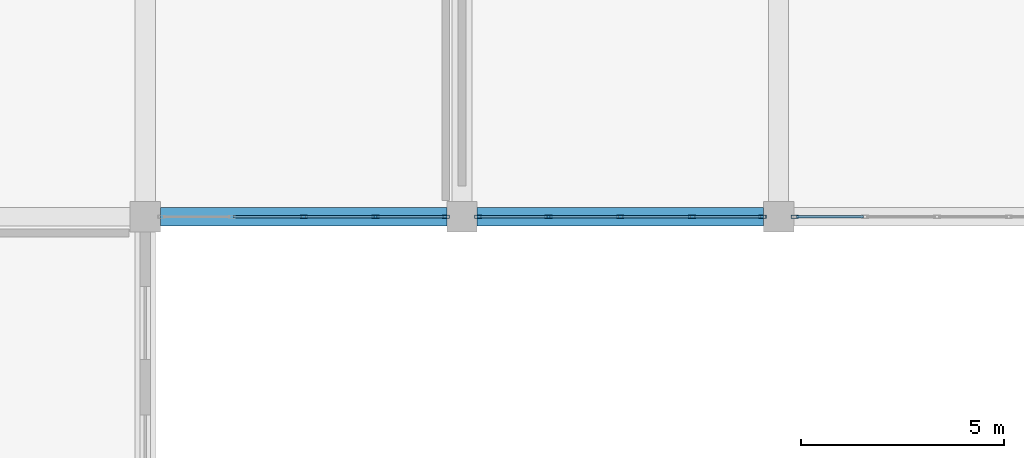
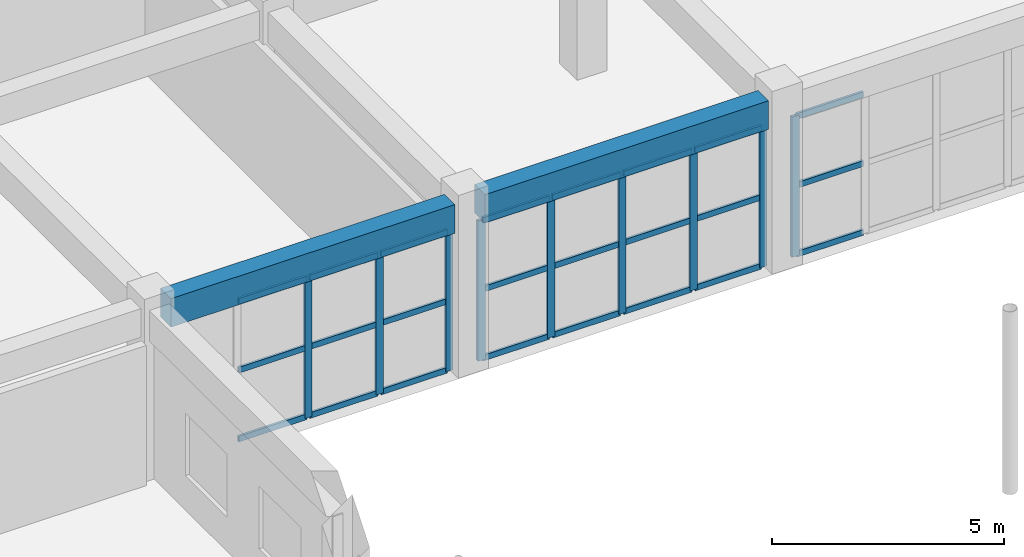
# One storey, part 77 of 175: 33 members, 2 beams, 3 elements without a shape of their own.
"""IFC4 building model written with IfcOpenShell, lengths in metres."""

from ifc_helpers import new_model, si_unit, direction, frame, origin, origin_2d, place, context, subcontext, project, spatial, rectangle, hollow_rectangle, extrude, material, layer, layer_set, material_profile, profile_set, type_object, element, aggregate, save


model = new_model("IFC4")

# Units and contexts
model_context = context("Model", 3, precision=1e-05, world=origin(), true_north=direction((0.0, 1.0)))
body_context = subcontext(model_context, "Body", "Model", "MODEL_VIEW")
ifc_project = project(units=[si_unit("LENGTHUNIT", "METRE"), si_unit("AREAUNIT", "SQUARE_METRE"), si_unit("VOLUMEUNIT", "CUBIC_METRE"), si_unit("PLANEANGLEUNIT", "RADIAN"), si_unit("MASSUNIT", "GRAM", prefix="KILO")], contexts=[model_context])

# Site, building, storey
site_placement = place(None, origin())
site = spatial("IfcSite", under=ifc_project, at=site_placement, CompositionType="ELEMENT")
building_placement = place(site_placement, origin())
building = spatial("IfcBuilding", under=site, at=building_placement, Name="Zizhar Promenade General Hospital", CompositionType="ELEMENT")
storey_placement = place(building_placement, frame((0.0, 0.0, 4.800048828125)))
storey = spatial("IfcBuildingStorey", under=building, at=storey_placement, Name="L01", CompositionType="ELEMENT", Elevation=4.800048828125)

# Beams
ifc_material_1 = material(Name="Concrete C35/45", Category="concrete")
ifc_material_profile_1 = material_profile(ifc_material_1, rectangle(XDim=0.449951171875, YDim=0.75, at=origin_2d()))
ifc_profile_set_1 = profile_set([ifc_material_profile_1], Name="Concrete C35/45")
beam_type = type_object("IfcBeamType", Name="BM-RC-450x750", PredefinedType="BEAM", material=ifc_profile_set_1)
for number, where, z_axis, x_axis, name in (
    (1, (70.574951171875, 92.39990234375, 4.094970703125), (1.0, 0.0, 0.0), (0.0, 1.0, 0.0), "Grid Beam X L01 (9-11)"),
    (2, (78.375, 92.39990234375, 4.094970703125), (1.0, 0.0, 0.0), (0.0, 1.0, 0.0), "Grid Beam X L01 (10-11)"),
):
    element("IfcBeam", number, at=place(storey_placement, frame(where, z_axis=z_axis, x_axis=x_axis)), inside=storey, type_object=beam_type, Name=name, PredefinedType="BEAM", context=body_context, shape_type="SweptSolid", body=[
        extrude(rectangle(XDim=0.449951171875, YDim=0.75, at=origin_2d()), origin(), (0.0, 0.0, 1.0), 7.050048828125),
    ])

# Curtain wall, members
ifc_material_2 = material(Name="Anodised aluminium 6063-T6 and low-E glass", Category="aluminium")
ifc_layer = layer(ifc_material_2, 0.159912109375)
ifc_layer_set = layer_set([ifc_layer], Name="Anodised aluminium 6063-T6 and low-E glass")
curtain_wall_type = type_object("IfcCurtainWallType", Name="CW-DT-MOD1", PredefinedType="NOTDEFINED", material=ifc_layer_set)
curtain_wall_1_placement = place(storey_placement, origin())
curtain_wall_1 = element("IfcCurtainWall", 3, at=curtain_wall_1_placement, inside=storey, type_object=curtain_wall_type, Name="Garden Court North Surgical Glazing L01-9", PredefinedType="NOTDEFINED")
ifc_material_3 = material(Name="Anodised aluminium 6063-T6", Category="aluminium")
ifc_material_profile_2 = material_profile(ifc_material_3, hollow_rectangle(XDim=0.080078125, YDim=0.179931640625, WallThickness=0.0048828125, at=origin_2d()))
ifc_profile_set_2 = profile_set([ifc_material_profile_2], Name="Anodised aluminium 6063-T6")
member_type_1 = type_object("IfcMemberType", Name="CWM-ALU-180x80", PredefinedType="MULLION", material=ifc_profile_set_2)
member_1_placement = place(storey_placement, frame((77.60009765625, 92.39990234375, 0.0), z_axis=(0.0, 0.0, 1.0), x_axis=(0.0, -1.0, 0.0)))
member_1 = element("IfcMember", 4, at=member_1_placement, type_object=member_type_1, Name="CW-07 mullion 1", PredefinedType="MULLION", context=body_context, shape_type="SweptSolid", body=[
    extrude(hollow_rectangle(XDim=0.080078125, YDim=0.179931640625, WallThickness=0.0048828125, at=origin_2d()), origin(), (0.0, 0.0, 1.0), 3.679931640625),
])
member_2_placement = place(storey_placement, frame((75.8701171875, 92.39990234375, 0.0), z_axis=(0.0, 0.0, 1.0), x_axis=(0.0, -1.0, 0.0)))
member_2 = element("IfcMember", 5, at=member_2_placement, type_object=member_type_1, Name="CW-07 mullion 2", PredefinedType="MULLION", context=body_context, shape_type="SweptSolid", body=[
    extrude(hollow_rectangle(XDim=0.080078125, YDim=0.179931640625, WallThickness=0.0048828125, at=origin_2d()), origin(), (0.0, 0.0, 1.0), 3.679931640625),
])
member_3_placement = place(storey_placement, frame((74.10009765625, 92.39990234375, 0.0), z_axis=(0.0, 0.0, 1.0), x_axis=(0.0, -1.0, 0.0)))
member_3 = element("IfcMember", 6, at=member_3_placement, type_object=member_type_1, Name="CW-07 mullion 3", PredefinedType="MULLION", context=body_context, shape_type="SweptSolid", body=[
    extrude(hollow_rectangle(XDim=0.080078125, YDim=0.179931640625, WallThickness=0.0048828125, at=origin_2d()), origin(), (0.0, 0.0, 1.0), 3.679931640625),
])

curtain_wall_2_placement = place(storey_placement, origin())
curtain_wall_2 = element("IfcCurtainWall", 7, at=curtain_wall_2_placement, inside=storey, type_object=curtain_wall_type, Name="Garden Court North Surgical Glazing L01-10", PredefinedType="NOTDEFINED")
member_4_placement = place(storey_placement, frame((85.39990234375, 92.39990234375, 0.0), z_axis=(0.0, 0.0, 1.0), x_axis=(0.0, -1.0, 0.0)))
member_4 = element("IfcMember", 8, at=member_4_placement, type_object=member_type_1, Name="CW-07 mullion 1", PredefinedType="MULLION", context=body_context, shape_type="SweptSolid", body=[
    extrude(hollow_rectangle(XDim=0.080078125, YDim=0.179931640625, WallThickness=0.0048828125, at=origin_2d()), origin(), (0.0, 0.0, 1.0), 3.679931640625),
])
member_5_placement = place(storey_placement, frame((83.669921875, 92.39990234375, 0.0), z_axis=(0.0, 0.0, 1.0), x_axis=(0.0, -1.0, 0.0)))
member_5 = element("IfcMember", 9, at=member_5_placement, type_object=member_type_1, Name="CW-07 mullion 2", PredefinedType="MULLION", context=body_context, shape_type="SweptSolid", body=[
    extrude(hollow_rectangle(XDim=0.080078125, YDim=0.179931640625, WallThickness=0.0048828125, at=origin_2d()), origin(), (0.0, 0.0, 1.0), 3.679931640625),
])
member_6_placement = place(storey_placement, frame((81.89990234375, 92.39990234375, 0.0), z_axis=(0.0, 0.0, 1.0), x_axis=(0.0, -1.0, 0.0)))
member_6 = element("IfcMember", 10, at=member_6_placement, type_object=member_type_1, Name="CW-07 mullion 3", PredefinedType="MULLION", context=body_context, shape_type="SweptSolid", body=[
    extrude(hollow_rectangle(XDim=0.080078125, YDim=0.179931640625, WallThickness=0.0048828125, at=origin_2d()), origin(), (0.0, 0.0, 1.0), 3.679931640625),
])
member_7_placement = place(storey_placement, frame((80.1298828125, 92.39990234375, 0.0), z_axis=(0.0, 0.0, 1.0), x_axis=(0.0, -1.0, 0.0)))
member_7 = element("IfcMember", 11, at=member_7_placement, type_object=member_type_1, Name="CW-07 mullion 4", PredefinedType="MULLION", context=body_context, shape_type="SweptSolid", body=[
    extrude(hollow_rectangle(XDim=0.080078125, YDim=0.179931640625, WallThickness=0.0048828125, at=origin_2d()), origin(), (0.0, 0.0, 1.0), 3.679931640625),
])
member_8_placement = place(storey_placement, frame((78.39990234375, 92.39990234375, 0.0), z_axis=(0.0, 0.0, 1.0), x_axis=(0.0, -1.0, 0.0)))
member_8 = element("IfcMember", 12, at=member_8_placement, type_object=member_type_1, Name="CW-07 mullion 5", PredefinedType="MULLION", context=body_context, shape_type="SweptSolid", body=[
    extrude(hollow_rectangle(XDim=0.080078125, YDim=0.179931640625, WallThickness=0.0048828125, at=origin_2d()), origin(), (0.0, 0.0, 1.0), 3.679931640625),
])

# Curtain wall, member
curtain_wall_3_placement = place(storey_placement, origin())
curtain_wall_3 = element("IfcCurtainWall", 13, at=curtain_wall_3_placement, inside=storey, type_object=curtain_wall_type, Name="Garden Court North Surgical Glazing L01-11", PredefinedType="NOTDEFINED")
member_9_placement = place(storey_placement, frame((86.199951171875, 92.39990234375, 0.0), z_axis=(0.0, 0.0, 1.0), x_axis=(0.0, -1.0, 0.0)))
member_9 = element("IfcMember", 14, at=member_9_placement, type_object=member_type_1, Name="CW-07 mullion 5", PredefinedType="MULLION", context=body_context, shape_type="SweptSolid", body=[
    extrude(hollow_rectangle(XDim=0.080078125, YDim=0.179931640625, WallThickness=0.0048828125, at=origin_2d()), origin(), (0.0, 0.0, 1.0), 3.679931640625),
])

# Member
ifc_material_4 = material(Name="Anodised aluminium 6063-T6", Category="aluminium")
ifc_material_profile_3 = material_profile(ifc_material_4, hollow_rectangle(XDim=0.06005859375, YDim=0.14990234375, WallThickness=0.00390625, at=origin_2d()))
ifc_profile_set_3 = profile_set([ifc_material_profile_3], Name="Anodised aluminium 6063-T6")
member_type_2 = type_object("IfcMemberType", Name="CWT-ALU-150x60", PredefinedType="USERDEFINED", material=ifc_profile_set_3)
member_10_placement = place(storey_placement, frame((77.56005859375, 92.39990234375, 0.030029296875), z_axis=(-1.0, 0.0, 0.0), x_axis=(0.0, -1.0, 0.0)))
member_10 = element("IfcMember", 15, at=member_10_placement, type_object=member_type_2, Name="CW-07 transom 1.1", ObjectType="TRANSOM", PredefinedType="USERDEFINED", context=body_context, shape_type="SweptSolid", body=[
    extrude(hollow_rectangle(XDim=0.06005859375, YDim=0.14990234375, WallThickness=0.00390625, at=origin_2d()), origin(), (0.0, 0.0, 1.0), 1.650146484375),
])

member_11_placement = place(storey_placement, frame((77.56005859375, 92.39990234375, 1.83984375), z_axis=(-1.0, 0.0, 0.0), x_axis=(0.0, -1.0, 0.0)))
member_11 = element("IfcMember", 16, at=member_11_placement, type_object=member_type_2, Name="CW-07 transom 1.2", ObjectType="TRANSOM", PredefinedType="USERDEFINED", context=body_context, shape_type="SweptSolid", body=[
    extrude(hollow_rectangle(XDim=0.06005859375, YDim=0.14990234375, WallThickness=0.00390625, at=origin_2d()), origin(), (0.0, 0.0, 1.0), 1.650146484375),
])

member_12_placement = place(storey_placement, frame((77.56005859375, 92.39990234375, 3.64990234375), z_axis=(-1.0, 0.0, 0.0), x_axis=(0.0, -1.0, 0.0)))
member_12 = element("IfcMember", 17, at=member_12_placement, type_object=member_type_2, Name="CW-07 transom 1.3", ObjectType="TRANSOM", PredefinedType="USERDEFINED", context=body_context, shape_type="SweptSolid", body=[
    extrude(hollow_rectangle(XDim=0.06005859375, YDim=0.14990234375, WallThickness=0.00390625, at=origin_2d()), origin(), (0.0, 0.0, 1.0), 1.650146484375),
])

member_13_placement = place(storey_placement, frame((75.830078125, 92.39990234375, 0.030029296875), z_axis=(-1.0, 0.0, 0.0), x_axis=(0.0, -1.0, 0.0)))
member_13 = element("IfcMember", 18, at=member_13_placement, type_object=member_type_2, Name="CW-07 transom 2.1", ObjectType="TRANSOM", PredefinedType="USERDEFINED", context=body_context, shape_type="SweptSolid", body=[
    extrude(hollow_rectangle(XDim=0.06005859375, YDim=0.14990234375, WallThickness=0.00390625, at=origin_2d()), origin(), (0.0, 0.0, 1.0), 1.690185546875),
])

member_14_placement = place(storey_placement, frame((75.830078125, 92.39990234375, 1.83984375), z_axis=(-1.0, 0.0, 0.0), x_axis=(0.0, -1.0, 0.0)))
member_14 = element("IfcMember", 19, at=member_14_placement, type_object=member_type_2, Name="CW-07 transom 2.2", ObjectType="TRANSOM", PredefinedType="USERDEFINED", context=body_context, shape_type="SweptSolid", body=[
    extrude(hollow_rectangle(XDim=0.06005859375, YDim=0.14990234375, WallThickness=0.00390625, at=origin_2d()), origin(), (0.0, 0.0, 1.0), 1.690185546875),
])

member_15_placement = place(storey_placement, frame((75.830078125, 92.39990234375, 3.64990234375), z_axis=(-1.0, 0.0, 0.0), x_axis=(0.0, -1.0, 0.0)))
member_15 = element("IfcMember", 20, at=member_15_placement, type_object=member_type_2, Name="CW-07 transom 2.3", ObjectType="TRANSOM", PredefinedType="USERDEFINED", context=body_context, shape_type="SweptSolid", body=[
    extrude(hollow_rectangle(XDim=0.06005859375, YDim=0.14990234375, WallThickness=0.00390625, at=origin_2d()), origin(), (0.0, 0.0, 1.0), 1.690185546875),
])

member_16_placement = place(storey_placement, frame((74.06005859375, 92.39990234375, 0.030029296875), z_axis=(-1.0, 0.0, 0.0), x_axis=(0.0, -1.0, 0.0)))
member_16 = element("IfcMember", 21, at=member_16_placement, type_object=member_type_2, Name="CW-07 transom 3.1", ObjectType="TRANSOM", PredefinedType="USERDEFINED", context=body_context, shape_type="SweptSolid", body=[
    extrude(hollow_rectangle(XDim=0.06005859375, YDim=0.14990234375, WallThickness=0.00390625, at=origin_2d()), origin(), (0.0, 0.0, 1.0), 1.68994140625),
])

member_17_placement = place(storey_placement, frame((74.06005859375, 92.39990234375, 1.83984375), z_axis=(-1.0, 0.0, 0.0), x_axis=(0.0, -1.0, 0.0)))
member_17 = element("IfcMember", 22, at=member_17_placement, type_object=member_type_2, Name="CW-07 transom 3.2", ObjectType="TRANSOM", PredefinedType="USERDEFINED", context=body_context, shape_type="SweptSolid", body=[
    extrude(hollow_rectangle(XDim=0.06005859375, YDim=0.14990234375, WallThickness=0.00390625, at=origin_2d()), origin(), (0.0, 0.0, 1.0), 1.68994140625),
])

member_18_placement = place(storey_placement, frame((74.06005859375, 92.39990234375, 3.64990234375), z_axis=(-1.0, 0.0, 0.0), x_axis=(0.0, -1.0, 0.0)))
member_18 = element("IfcMember", 23, at=member_18_placement, type_object=member_type_2, Name="CW-07 transom 3.3", ObjectType="TRANSOM", PredefinedType="USERDEFINED", context=body_context, shape_type="SweptSolid", body=[
    extrude(hollow_rectangle(XDim=0.06005859375, YDim=0.14990234375, WallThickness=0.00390625, at=origin_2d()), origin(), (0.0, 0.0, 1.0), 1.68994140625),
])

aggregate(curtain_wall_1, [member_1, member_2, member_3, member_10, member_11, member_12, member_13, member_14, member_15, member_16, member_17, member_18])

member_19_placement = place(storey_placement, frame((85.360107421875, 92.39990234375, 0.030029296875), z_axis=(-1.0, 0.0, 0.0), x_axis=(0.0, -1.0, 0.0)))
member_19 = element("IfcMember", 24, at=member_19_placement, type_object=member_type_2, Name="CW-07 transom 1.1", ObjectType="TRANSOM", PredefinedType="USERDEFINED", context=body_context, shape_type="SweptSolid", body=[
    extrude(hollow_rectangle(XDim=0.06005859375, YDim=0.14990234375, WallThickness=0.00390625, at=origin_2d()), origin(), (0.0, 0.0, 1.0), 1.650146484375),
])

member_20_placement = place(storey_placement, frame((85.360107421875, 92.39990234375, 1.83984375), z_axis=(-1.0, 0.0, 0.0), x_axis=(0.0, -1.0, 0.0)))
member_20 = element("IfcMember", 25, at=member_20_placement, type_object=member_type_2, Name="CW-07 transom 1.2", ObjectType="TRANSOM", PredefinedType="USERDEFINED", context=body_context, shape_type="SweptSolid", body=[
    extrude(hollow_rectangle(XDim=0.06005859375, YDim=0.14990234375, WallThickness=0.00390625, at=origin_2d()), origin(), (0.0, 0.0, 1.0), 1.650146484375),
])

member_21_placement = place(storey_placement, frame((85.360107421875, 92.39990234375, 3.64990234375), z_axis=(-1.0, 0.0, 0.0), x_axis=(0.0, -1.0, 0.0)))
member_21 = element("IfcMember", 26, at=member_21_placement, type_object=member_type_2, Name="CW-07 transom 1.3", ObjectType="TRANSOM", PredefinedType="USERDEFINED", context=body_context, shape_type="SweptSolid", body=[
    extrude(hollow_rectangle(XDim=0.06005859375, YDim=0.14990234375, WallThickness=0.00390625, at=origin_2d()), origin(), (0.0, 0.0, 1.0), 1.650146484375),
])

member_22_placement = place(storey_placement, frame((83.6298828125, 92.39990234375, 0.030029296875), z_axis=(-1.0, 0.0, 0.0), x_axis=(0.0, -1.0, 0.0)))
member_22 = element("IfcMember", 27, at=member_22_placement, type_object=member_type_2, Name="CW-07 transom 2.1", ObjectType="TRANSOM", PredefinedType="USERDEFINED", context=body_context, shape_type="SweptSolid", body=[
    extrude(hollow_rectangle(XDim=0.06005859375, YDim=0.14990234375, WallThickness=0.00390625, at=origin_2d()), origin(), (0.0, 0.0, 1.0), 1.68994140625),
])

member_23_placement = place(storey_placement, frame((83.6298828125, 92.39990234375, 1.83984375), z_axis=(-1.0, 0.0, 0.0), x_axis=(0.0, -1.0, 0.0)))
member_23 = element("IfcMember", 28, at=member_23_placement, type_object=member_type_2, Name="CW-07 transom 2.2", ObjectType="TRANSOM", PredefinedType="USERDEFINED", context=body_context, shape_type="SweptSolid", body=[
    extrude(hollow_rectangle(XDim=0.06005859375, YDim=0.14990234375, WallThickness=0.00390625, at=origin_2d()), origin(), (0.0, 0.0, 1.0), 1.68994140625),
])

member_24_placement = place(storey_placement, frame((83.6298828125, 92.39990234375, 3.64990234375), z_axis=(-1.0, 0.0, 0.0), x_axis=(0.0, -1.0, 0.0)))
member_24 = element("IfcMember", 29, at=member_24_placement, type_object=member_type_2, Name="CW-07 transom 2.3", ObjectType="TRANSOM", PredefinedType="USERDEFINED", context=body_context, shape_type="SweptSolid", body=[
    extrude(hollow_rectangle(XDim=0.06005859375, YDim=0.14990234375, WallThickness=0.00390625, at=origin_2d()), origin(), (0.0, 0.0, 1.0), 1.68994140625),
])

member_25_placement = place(storey_placement, frame((81.860107421875, 92.39990234375, 0.030029296875), z_axis=(-1.0, 0.0, 0.0), x_axis=(0.0, -1.0, 0.0)))
member_25 = element("IfcMember", 30, at=member_25_placement, type_object=member_type_2, Name="CW-07 transom 3.1", ObjectType="TRANSOM", PredefinedType="USERDEFINED", context=body_context, shape_type="SweptSolid", body=[
    extrude(hollow_rectangle(XDim=0.06005859375, YDim=0.14990234375, WallThickness=0.00390625, at=origin_2d()), origin(), (0.0, 0.0, 1.0), 1.690185546875),
])

member_26_placement = place(storey_placement, frame((81.860107421875, 92.39990234375, 1.83984375), z_axis=(-1.0, 0.0, 0.0), x_axis=(0.0, -1.0, 0.0)))
member_26 = element("IfcMember", 31, at=member_26_placement, type_object=member_type_2, Name="CW-07 transom 3.2", ObjectType="TRANSOM", PredefinedType="USERDEFINED", context=body_context, shape_type="SweptSolid", body=[
    extrude(hollow_rectangle(XDim=0.06005859375, YDim=0.14990234375, WallThickness=0.00390625, at=origin_2d()), origin(), (0.0, 0.0, 1.0), 1.690185546875),
])

member_27_placement = place(storey_placement, frame((81.860107421875, 92.39990234375, 3.64990234375), z_axis=(-1.0, 0.0, 0.0), x_axis=(0.0, -1.0, 0.0)))
member_27 = element("IfcMember", 32, at=member_27_placement, type_object=member_type_2, Name="CW-07 transom 3.3", ObjectType="TRANSOM", PredefinedType="USERDEFINED", context=body_context, shape_type="SweptSolid", body=[
    extrude(hollow_rectangle(XDim=0.06005859375, YDim=0.14990234375, WallThickness=0.00390625, at=origin_2d()), origin(), (0.0, 0.0, 1.0), 1.690185546875),
])

member_28_placement = place(storey_placement, frame((80.090087890625, 92.39990234375, 0.030029296875), z_axis=(-1.0, 0.0, 0.0), x_axis=(0.0, -1.0, 0.0)))
member_28 = element("IfcMember", 33, at=member_28_placement, type_object=member_type_2, Name="CW-07 transom 4.1", ObjectType="TRANSOM", PredefinedType="USERDEFINED", context=body_context, shape_type="SweptSolid", body=[
    extrude(hollow_rectangle(XDim=0.06005859375, YDim=0.14990234375, WallThickness=0.00390625, at=origin_2d()), origin(), (0.0, 0.0, 1.0), 1.650146484375),
])

member_29_placement = place(storey_placement, frame((80.090087890625, 92.39990234375, 1.83984375), z_axis=(-1.0, 0.0, 0.0), x_axis=(0.0, -1.0, 0.0)))
member_29 = element("IfcMember", 34, at=member_29_placement, type_object=member_type_2, Name="CW-07 transom 4.2", ObjectType="TRANSOM", PredefinedType="USERDEFINED", context=body_context, shape_type="SweptSolid", body=[
    extrude(hollow_rectangle(XDim=0.06005859375, YDim=0.14990234375, WallThickness=0.00390625, at=origin_2d()), origin(), (0.0, 0.0, 1.0), 1.650146484375),
])

member_30_placement = place(storey_placement, frame((80.090087890625, 92.39990234375, 3.64990234375), z_axis=(-1.0, 0.0, 0.0), x_axis=(0.0, -1.0, 0.0)))
member_30 = element("IfcMember", 35, at=member_30_placement, type_object=member_type_2, Name="CW-07 transom 4.3", ObjectType="TRANSOM", PredefinedType="USERDEFINED", context=body_context, shape_type="SweptSolid", body=[
    extrude(hollow_rectangle(XDim=0.06005859375, YDim=0.14990234375, WallThickness=0.00390625, at=origin_2d()), origin(), (0.0, 0.0, 1.0), 1.650146484375),
])

aggregate(curtain_wall_2, [member_4, member_5, member_6, member_7, member_8, member_19, member_20, member_21, member_22, member_23, member_24, member_25, member_26, member_27, member_28, member_29, member_30])

member_31_placement = place(storey_placement, frame((87.889892578125, 92.39990234375, 0.030029296875), z_axis=(-1.0, 0.0, 0.0), x_axis=(0.0, -1.0, 0.0)))
member_31 = element("IfcMember", 36, at=member_31_placement, type_object=member_type_2, Name="CW-07 transom 4.1", ObjectType="TRANSOM", PredefinedType="USERDEFINED", context=body_context, shape_type="SweptSolid", body=[
    extrude(hollow_rectangle(XDim=0.06005859375, YDim=0.14990234375, WallThickness=0.00390625, at=origin_2d()), origin(), (0.0, 0.0, 1.0), 1.64990234375),
])

member_32_placement = place(storey_placement, frame((87.889892578125, 92.39990234375, 1.83984375), z_axis=(-1.0, 0.0, 0.0), x_axis=(0.0, -1.0, 0.0)))
member_32 = element("IfcMember", 37, at=member_32_placement, type_object=member_type_2, Name="CW-07 transom 4.2", ObjectType="TRANSOM", PredefinedType="USERDEFINED", context=body_context, shape_type="SweptSolid", body=[
    extrude(hollow_rectangle(XDim=0.06005859375, YDim=0.14990234375, WallThickness=0.00390625, at=origin_2d()), origin(), (0.0, 0.0, 1.0), 1.64990234375),
])

member_33_placement = place(storey_placement, frame((87.889892578125, 92.39990234375, 3.64990234375), z_axis=(-1.0, 0.0, 0.0), x_axis=(0.0, -1.0, 0.0)))
member_33 = element("IfcMember", 38, at=member_33_placement, type_object=member_type_2, Name="CW-07 transom 4.3", ObjectType="TRANSOM", PredefinedType="USERDEFINED", context=body_context, shape_type="SweptSolid", body=[
    extrude(hollow_rectangle(XDim=0.06005859375, YDim=0.14990234375, WallThickness=0.00390625, at=origin_2d()), origin(), (0.0, 0.0, 1.0), 1.64990234375),
])

aggregate(curtain_wall_3, [member_9, member_31, member_32, member_33])

save(model, "model.ifc")
